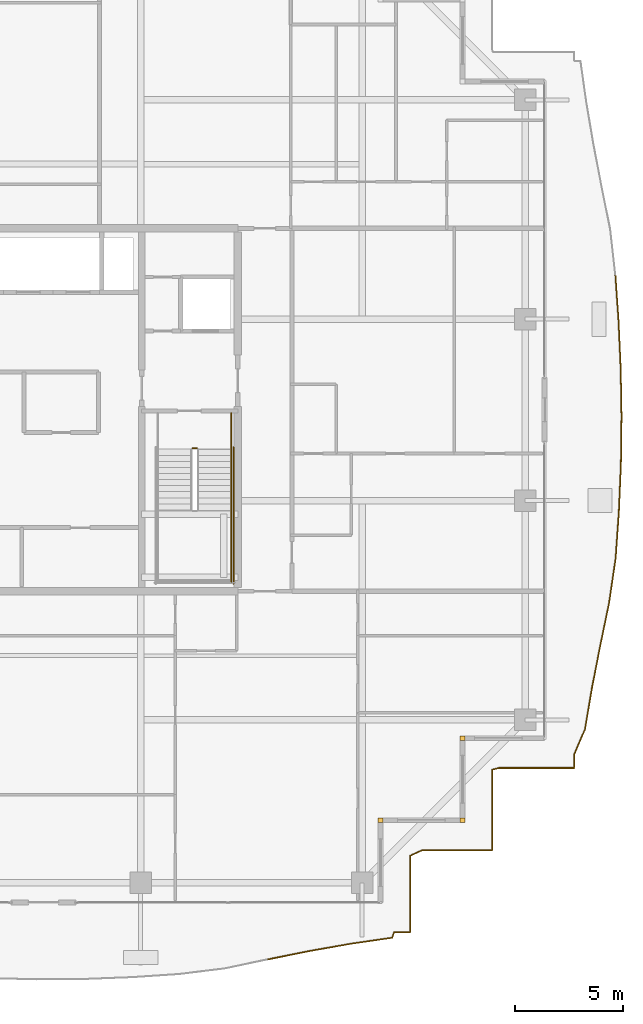
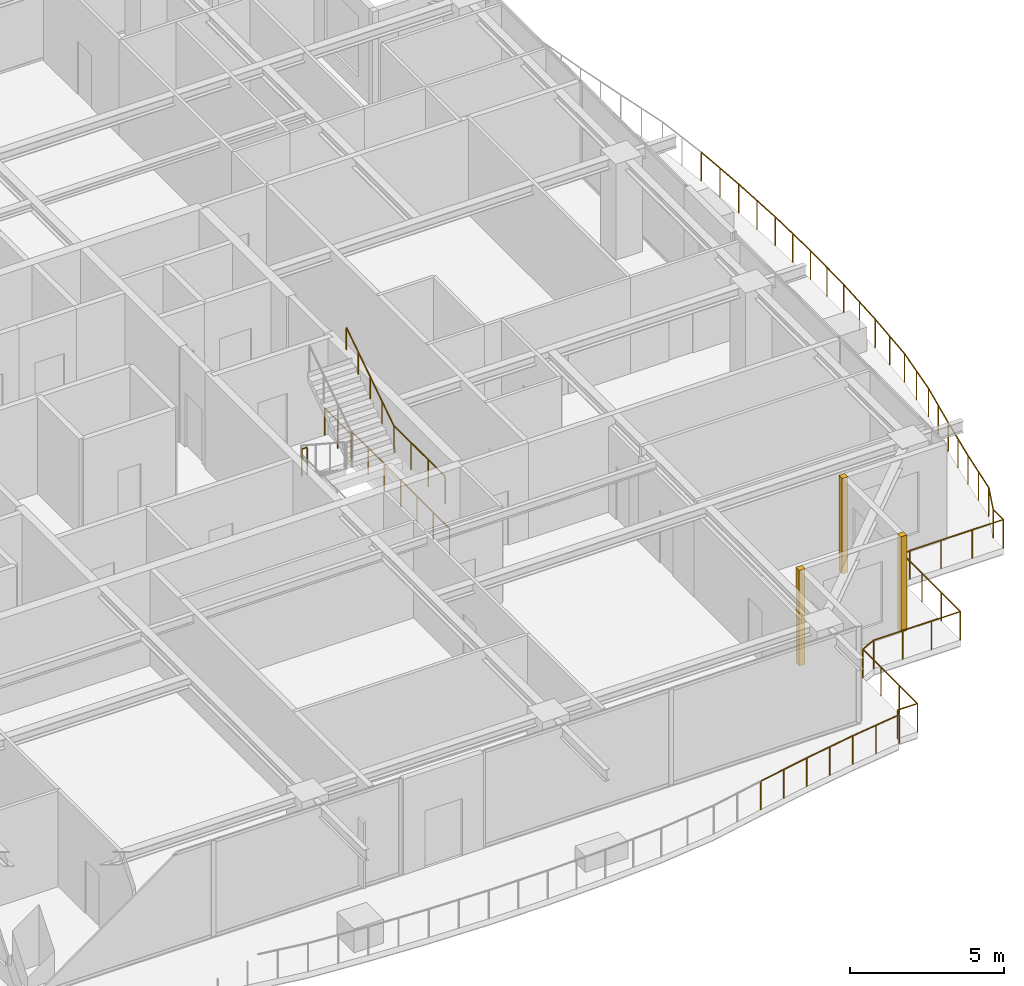
# One storey, part 40 of 41: 8 railings, 3 coverings.
"""IFC4 building model written with IfcOpenShell, lengths in metres."""

from ifc_helpers import new_model, si_unit, direction, frame, origin, origin_2d, place, context, subcontext, project, spatial, rectangle, circle, extrude, source, transform, mapped, material, layer, layer_set, type_object, element, save


model = new_model("IFC4")

# Units and contexts
model_context = context("Model", 3, precision=1e-05, world=origin(), true_north=direction((0.0, 1.0)))
body_context = subcontext(model_context, "Body", "Model", "MODEL_VIEW")
ifc_project = project(units=[si_unit("LENGTHUNIT", "METRE"), si_unit("AREAUNIT", "SQUARE_METRE"), si_unit("VOLUMEUNIT", "CUBIC_METRE"), si_unit("PLANEANGLEUNIT", "RADIAN"), si_unit("MASSUNIT", "GRAM", prefix="KILO")], contexts=[model_context])

# Site, building, storey
site_placement = place(None, origin())
site = spatial("IfcSite", under=ifc_project, at=site_placement, CompositionType="ELEMENT")
building_placement = place(site_placement, origin())
building = spatial("IfcBuilding", under=site, at=building_placement, Name="Serunith Strait Residences", CompositionType="ELEMENT")
storey_placement = place(building_placement, frame((0.0, 0.0, 301.550048828125)))
storey = spatial("IfcBuildingStorey", under=building, at=storey_placement, Name="L75", CompositionType="ELEMENT", Elevation=301.550048828125)

# Railings
ifc_material_1 = material(Name="Stainless Steel & Laminated Glass Balustrade", Category="steel")
railing_type_1 = type_object("IfcRailingType", Name="RLG-BALC-1150", PredefinedType="BALUSTRADE", material=ifc_material_1)
railing_1_placement = place(storey_placement, frame((58.87841796875, 31.458251953125, -0.050048828125)))
element("IfcRailing", 1, at=railing_1_placement, inside=storey, type_object=railing_type_1, Name="L75 Swirling Balcony Perimeter Balustrade 4", PredefinedType="BALUSTRADE", context=body_context, shape_type="SweptSolid", body=[
    extrude(circle(Radius=0.02392578125, at=origin_2d()), frame((0.000244140625, -0.001953125, 1.1259765625), z_axis=(0.06795262557, -0.997688548936, 0.0), x_axis=(0.997688548936, 0.06795262557, 0.0)), (0.0, 0.0, 1.0), 2.166015625),
    extrude(circle(Radius=0.02392578125, at=origin_2d()), frame((0.1474609375, -2.1669921875, 1.1259765625), z_axis=(0.045160425064, -0.998979747546, 0.0), x_axis=(0.998979747546, 0.045160425064, 0.0)), (0.0, 0.0, 1.0), 2.19091796875),
    extrude(circle(Radius=0.02392578125, at=origin_2d()), frame((0.24658203125, -4.359619140625, 1.1259765625), z_axis=(0.017355041926, -0.999849389918, 0.0), x_axis=(0.999849389918, 0.017355041926, 0.0)), (0.0, 0.0, 1.0), 2.20458984375),
    extrude(circle(Radius=0.02392578125, at=origin_2d()), frame((0.284912109375, -6.56787109375, 1.1259765625), z_axis=(-0.012934241333, -0.999916349202, 0.0), x_axis=(0.999916349202, -0.012934241333, 0.0)), (0.0, 0.0, 1.0), 2.204345703125),
    extrude(circle(Radius=0.02392578125, at=origin_2d()), frame((0.25634765625, -8.776123046875, 1.1259765625), z_axis=(-0.042838464692, -0.99908201162, 0.0), x_axis=(0.99908201162, -0.042838464692, 0.0)), (0.0, 0.0, 1.0), 2.190185546875),
    extrude(circle(Radius=0.02392578125, at=origin_2d()), frame((0.162109375, -10.96826171875, 1.1259765625), z_axis=(-0.069053381699, -0.997612966273, 0.0), x_axis=(0.997612966273, -0.069053381699, 0.0)), (0.0, 0.0, 1.0), 2.163330078125),
    extrude(circle(Radius=0.02392578125, at=origin_2d()), frame((0.012451171875, -13.13037109375, 1.1259765625), z_axis=(-0.145704222893, -0.989328196015, 0.0), x_axis=(0.989328196015, -0.145704222893, 0.0)), (0.0, 0.0, 1.0), 2.102294921875),
    extrude(circle(Radius=0.02099609375, at=origin_2d()), origin(), (0.0, 0.0, 1.0), 1.099853515625),
    extrude(circle(Radius=0.02099609375, at=origin_2d()), frame((0.07373046875, -1.08251953125, 0.0)), (0.0, 0.0, 1.0), 1.099853515625),
    extrude(circle(Radius=0.02099609375, at=origin_2d()), frame((0.1474609375, -2.1650390625, 0.0)), (0.0, 0.0, 1.0), 1.099853515625),
    extrude(circle(Radius=0.02099609375, at=origin_2d()), frame((0.197021484375, -3.26123046875, 0.0)), (0.0, 0.0, 1.0), 1.099853515625),
    extrude(circle(Radius=0.02099609375, at=origin_2d()), frame((0.24658203125, -4.357666015625, 0.0)), (0.0, 0.0, 1.0), 1.099853515625),
    extrude(circle(Radius=0.02099609375, at=origin_2d()), frame((0.265625, -5.4619140625, 0.0)), (0.0, 0.0, 1.0), 1.099853515625),
    extrude(circle(Radius=0.02099609375, at=origin_2d()), frame((0.284912109375, -6.56591796875, 0.0)), (0.0, 0.0, 1.0), 1.099853515625),
    extrude(circle(Radius=0.02099609375, at=origin_2d()), frame((0.2705078125, -7.669921875, 0.0)), (0.0, 0.0, 1.0), 1.099853515625),
    extrude(circle(Radius=0.02099609375, at=origin_2d()), frame((0.25634765625, -8.774169921875, 0.0)), (0.0, 0.0, 1.0), 1.099853515625),
    extrude(circle(Radius=0.02099609375, at=origin_2d()), frame((0.20947265625, -9.8701171875, 0.0)), (0.0, 0.0, 1.0), 1.099853515625),
    extrude(circle(Radius=0.02099609375, at=origin_2d()), frame((0.162353515625, -10.96630859375, 0.0)), (0.0, 0.0, 1.0), 1.099853515625),
    extrude(circle(Radius=0.02099609375, at=origin_2d()), frame((0.08740234375, -12.04736328125, 0.0)), (0.0, 0.0, 1.0), 1.099853515625),
    extrude(circle(Radius=0.02099609375, at=origin_2d()), frame((0.0126953125, -13.12841796875, 0.0)), (0.0, 0.0, 1.0), 1.099853515625),
    extrude(circle(Radius=0.02099609375, at=origin_2d()), frame((-0.140625, -14.17041015625, 0.0)), (0.0, 0.0, 1.0), 1.099853515625),
    extrude(circle(Radius=0.02099609375, at=origin_2d()), frame((-0.294189453125, -15.212158203125, 0.0)), (0.0, 0.0, 1.0), 1.099853515625),
])
railing_2_placement = place(storey_placement, frame((58.584228515625, 16.24609375, -0.050048828125)))
element("IfcRailing", 2, at=railing_2_placement, inside=storey, type_object=railing_type_1, Name="L75 Swirling Balcony Perimeter Balustrade 5", PredefinedType="BALUSTRADE", context=body_context, shape_type="SweptSolid", body=[
    extrude(circle(Radius=0.02392578125, at=origin_2d()), frame((-0.00048828125, -0.001953125, 1.1259765625), z_axis=(-0.203349144549, -0.979106289129, 0.0), x_axis=(0.979106289129, -0.203349144549, 0.0)), (0.0, 0.0, 1.0), 2.026123046875),
    extrude(circle(Radius=0.02392578125, at=origin_2d()), frame((-0.413330078125, -1.98974609375, 1.1259765625), z_axis=(-0.1910483824, -0.98158062103, 0.0), x_axis=(0.98158062103, -0.1910483824, 0.0)), (0.0, 0.0, 1.0), 1.970458984375),
    extrude(circle(Radius=0.02392578125, at=origin_2d()), frame((-0.790283203125, -3.927734375, 1.1259765625), z_axis=(-0.166690335324, -0.986009296158, 0.0), x_axis=(0.986009296158, -0.166690335324, 0.0)), (0.0, 0.0, 1.0), 1.9306640625),
    extrude(circle(Radius=0.02392578125, at=origin_2d()), frame((-1.11328125, -5.83544921875, 1.1259765625), z_axis=(-0.397009892886, -0.917814330326, 0.0), x_axis=(0.917814330326, -0.397009892886, 0.0)), (0.0, 0.0, 1.0), 1.234619140625),
    extrude(circle(Radius=0.02392578125, at=origin_2d()), frame((-1.604248046875, -6.97216796875, 1.1259765625), z_axis=(0.0, -1.0, 0.0), x_axis=(1.0, 0.0, 0.0)), (0.0, 0.0, 1.0), 0.65185546875),
    extrude(circle(Radius=0.02392578125, at=origin_2d()), frame((-1.606201171875, -7.6259765625, 1.1259765625), z_axis=(-1.0, 0.0, 0.0), x_axis=(0.0, -1.0, 0.0)), (0.0, 0.0, 1.0), 3.494140625),
    extrude(circle(Radius=0.02392578125, at=origin_2d()), frame((-5.104248046875, -7.62646484375, 1.1259765625), z_axis=(-0.97018861834, -0.242351077661, 0.0), x_axis=(0.242351077661, -0.97018861834, 0.0)), (0.0, 0.0, 1.0), 0.307373046875),
    extrude(circle(Radius=0.02392578125, at=origin_2d()), frame((-5.404296875, -7.703369140625, 1.1259765625), z_axis=(0.0, -1.0, 0.0), x_axis=(1.0, 0.0, 0.0)), (0.0, 0.0, 1.0), 3.720703125),
    extrude(circle(Radius=0.02099609375, at=origin_2d()), origin(), (0.0, 0.0, 1.0), 1.099853515625),
    extrude(circle(Radius=0.02099609375, at=origin_2d()), frame((-0.20654296875, -0.993896484375, 0.0)), (0.0, 0.0, 1.0), 1.099853515625),
    extrude(circle(Radius=0.02099609375, at=origin_2d()), frame((-0.412841796875, -1.98779296875, 0.0)), (0.0, 0.0, 1.0), 1.099853515625),
    extrude(circle(Radius=0.02099609375, at=origin_2d()), frame((-0.6015625, -2.956787109375, 0.0)), (0.0, 0.0, 1.0), 1.099853515625),
    extrude(circle(Radius=0.02099609375, at=origin_2d()), frame((-0.7900390625, -3.92578125, 0.0)), (0.0, 0.0, 1.0), 1.099853515625),
    extrude(circle(Radius=0.02099609375, at=origin_2d()), frame((-0.951171875, -4.879638671875, 0.0)), (0.0, 0.0, 1.0), 1.099853515625),
    extrude(circle(Radius=0.02099609375, at=origin_2d()), frame((-1.112548828125, -5.83349609375, 0.0)), (0.0, 0.0, 1.0), 1.099853515625),
    extrude(circle(Radius=0.02099609375, at=origin_2d()), frame((-1.604248046875, -6.97021484375, 0.0)), (0.0, 0.0, 1.0), 1.099853515625),
    extrude(circle(Radius=0.02099609375, at=origin_2d()), frame((-1.604248046875, -7.6259765625, 0.0)), (0.0, 0.0, 1.0), 1.099853515625),
    extrude(circle(Radius=0.02099609375, at=origin_2d()), frame((-2.770263671875, -7.6259765625, 0.0)), (0.0, 0.0, 1.0), 1.099853515625),
    extrude(circle(Radius=0.02099609375, at=origin_2d()), frame((-3.936279296875, -7.6259765625, 0.0)), (0.0, 0.0, 1.0), 1.099853515625),
    extrude(circle(Radius=0.02099609375, at=origin_2d()), frame((-5.102294921875, -7.6259765625, 0.0)), (0.0, 0.0, 1.0), 1.099853515625),
    extrude(circle(Radius=0.02099609375, at=origin_2d()), frame((-5.404296875, -7.701416015625, 0.0)), (0.0, 0.0, 1.0), 1.099853515625),
    extrude(circle(Radius=0.02099609375, at=origin_2d()), frame((-5.404296875, -8.94287109375, 0.0)), (0.0, 0.0, 1.0), 1.099853515625),
    extrude(circle(Radius=0.02099609375, at=origin_2d()), frame((-5.404296875, -10.1845703125, 0.0)), (0.0, 0.0, 1.0), 1.099853515625),
    extrude(circle(Radius=0.02099609375, at=origin_2d()), frame((-5.404296875, -11.426025390625, 0.0)), (0.0, 0.0, 1.0), 1.099853515625),
])
railing_3_placement = place(storey_placement, frame((53.179931640625, 4.820068359375, -0.050048828125)))
element("IfcRailing", 3, at=railing_3_placement, inside=storey, type_object=railing_type_1, Name="L75 Swirling Balcony Perimeter Balustrade 6", PredefinedType="BALUSTRADE", context=body_context, shape_type="SweptSolid", body=[
    extrude(circle(Radius=0.02392578125, at=origin_2d()), frame((-0.001953125, 0.0, 1.1259765625), z_axis=(-1.0, 0.0, 0.0), x_axis=(0.0, -1.0, 0.0)), (0.0, 0.0, 1.0), 3.233642578125),
    extrude(circle(Radius=0.02392578125, at=origin_2d()), frame((-3.2392578125, -0.000732421875, 1.1259765625), z_axis=(-0.904551600547, -0.426364165883, 0.0), x_axis=(0.426364165883, -0.904551600547, 0.0)), (0.0, 0.0, 1.0), 0.617919921875),
    extrude(circle(Radius=0.02392578125, at=origin_2d()), frame((-3.800048828125, -0.26708984375, 1.1259765625), z_axis=(0.0, -1.0, 0.0), x_axis=(1.0, 0.0, 0.0)), (0.0, 0.0, 1.0), 3.531005859375),
    extrude(circle(Radius=0.02392578125, at=origin_2d()), frame((-3.802001953125, -3.800048828125, 1.1259765625), z_axis=(-1.0, 0.0, 0.0), x_axis=(0.0, -1.0, 0.0)), (0.0, 0.0, 1.0), 0.74267578125),
    extrude(circle(Radius=0.02392578125, at=origin_2d()), frame((-4.54736328125, -3.802001953125, 1.1259765625), z_axis=(-0.31271097684, -0.949848327347, 0.0), x_axis=(0.949848327347, -0.31271097684, 0.0)), (0.0, 0.0, 1.0), 0.266845703125),
    extrude(circle(Radius=0.02392578125, at=origin_2d()), frame((-4.63330078125, -4.0576171875, 1.1259765625), z_axis=(-0.989610193278, -0.1437764423, 0.0), x_axis=(0.1437764423, -0.989610193278, 0.0)), (0.0, 0.0, 1.0), 1.911376953125),
    extrude(circle(Radius=0.02392578125, at=origin_2d()), frame((-6.52880859375, -4.3330078125, 1.1259765625), z_axis=(-0.984864491791, -0.173326088083, 0.0), x_axis=(0.173326088083, -0.984864491791, 0.0)), (0.0, 0.0, 1.0), 1.93701171875),
    extrude(circle(Radius=0.02392578125, at=origin_2d()), frame((-8.4404296875, -4.669677734375, 1.1259765625), z_axis=(-0.980367200869, -0.197180504767, 0.0), x_axis=(0.197180504767, -0.980367200869, 0.0)), (0.0, 0.0, 1.0), 1.980712890625),
    extrude(circle(Radius=0.02099609375, at=origin_2d()), origin(), (0.0, 0.0, 1.0), 1.099853515625),
    extrude(circle(Radius=0.02099609375, at=origin_2d()), frame((-1.0791015625, 0.0, 0.0)), (0.0, 0.0, 1.0), 1.099853515625),
    extrude(circle(Radius=0.02099609375, at=origin_2d()), frame((-2.158447265625, 0.0, 0.0)), (0.0, 0.0, 1.0), 1.099853515625),
    extrude(circle(Radius=0.02099609375, at=origin_2d()), frame((-3.237548828125, 0.0, 0.0)), (0.0, 0.0, 1.0), 1.099853515625),
    extrude(circle(Radius=0.02099609375, at=origin_2d()), frame((-3.800048828125, -0.26513671875, 0.0)), (0.0, 0.0, 1.0), 1.099853515625),
    extrude(circle(Radius=0.02099609375, at=origin_2d()), frame((-3.800048828125, -1.443359375, 0.0)), (0.0, 0.0, 1.0), 1.099853515625),
    extrude(circle(Radius=0.02099609375, at=origin_2d()), frame((-3.800048828125, -2.621826171875, 0.0)), (0.0, 0.0, 1.0), 1.099853515625),
    extrude(circle(Radius=0.02099609375, at=origin_2d()), frame((-3.800048828125, -3.800048828125, 0.0)), (0.0, 0.0, 1.0), 1.099853515625),
    extrude(circle(Radius=0.02099609375, at=origin_2d()), frame((-4.546630859375, -3.800048828125, 0.0)), (0.0, 0.0, 1.0), 1.099853515625),
    extrude(circle(Radius=0.02099609375, at=origin_2d()), frame((-4.63134765625, -4.057373046875, 0.0)), (0.0, 0.0, 1.0), 1.099853515625),
    extrude(circle(Radius=0.02099609375, at=origin_2d()), frame((-5.5791015625, -4.195068359375, 0.0)), (0.0, 0.0, 1.0), 1.099853515625),
    extrude(circle(Radius=0.02099609375, at=origin_2d()), frame((-6.52685546875, -4.332763671875, 0.0)), (0.0, 0.0, 1.0), 1.099853515625),
    extrude(circle(Radius=0.02099609375, at=origin_2d()), frame((-7.482666015625, -4.5009765625, 0.0)), (0.0, 0.0, 1.0), 1.099853515625),
    extrude(circle(Radius=0.02099609375, at=origin_2d()), frame((-8.4384765625, -4.669189453125, 0.0)), (0.0, 0.0, 1.0), 1.099853515625),
    extrude(circle(Radius=0.02099609375, at=origin_2d()), frame((-9.411376953125, -4.86474609375, 0.0)), (0.0, 0.0, 1.0), 1.099853515625),
    extrude(circle(Radius=0.02099609375, at=origin_2d()), frame((-10.38427734375, -5.060546875, 0.0)), (0.0, 0.0, 1.0), 1.099853515625),
])
ifc_material_2 = material(Name="Brushed stainless steel 316L", Category="steel")
railing_type_2 = type_object("IfcRailingType", Name="RLG-STAIR-GUARD", PredefinedType="BALUSTRADE", material=ifc_material_2)
railing_4_placement = place(storey_placement, frame((41.10009765625, 20.570068359375, 2.02490234375)))
element("IfcRailing", 4, at=railing_4_placement, inside=storey, type_object=railing_type_2, Name="L75 ST-2 stair guard 4", PredefinedType="BALUSTRADE", context=body_context, shape_type="SweptSolid", body=[
    extrude(circle(Radius=0.02392578125, at=origin_2d()), frame((0.0, -0.001953125, 1.076171875), z_axis=(0.0, -1.0, 0.0), x_axis=(1.0, 0.0, 0.0)), (0.0, 0.0, 1.0), 3.316162109375),
    extrude(circle(Radius=0.02099609375, at=origin_2d()), origin(), (0.0, 0.0, 1.0), 1.050048828125),
    extrude(circle(Radius=0.02099609375, at=origin_2d()), frame((0.0, -1.106689453125, 0.0)), (0.0, 0.0, 1.0), 1.050048828125),
    extrude(circle(Radius=0.02099609375, at=origin_2d()), frame((0.0, -2.21337890625, 0.0)), (0.0, 0.0, 1.0), 1.050048828125),
    extrude(circle(Radius=0.02099609375, at=origin_2d()), frame((0.0, -3.320068359375, 0.0)), (0.0, 0.0, 1.0), 1.050048828125),
])
railing_5_placement = place(storey_placement, frame((39.300048828125, 23.419921875, 0.0)))
element("IfcRailing", 5, at=railing_5_placement, inside=storey, type_object=railing_type_2, Name="L75 ST-2 stair guard 7", PredefinedType="BALUSTRADE", context=body_context, shape_type="SweptSolid", body=[
    extrude(circle(Radius=0.02392578125, at=origin_2d()), frame((0.001953125, 0.0, 1.076171875), z_axis=(1.0, 0.0, 0.0), x_axis=(0.0, 1.0, 0.0)), (0.0, 0.0, 1.0), 0.196044921875),
    extrude(circle(Radius=0.02099609375, at=origin_2d()), origin(), (0.0, 0.0, 1.0), 1.050048828125),
    extrude(circle(Radius=0.02099609375, at=origin_2d()), frame((0.199951171875, 0.0, 0.0)), (0.0, 0.0, 1.0), 1.050048828125),
])
railing_6_placement = place(storey_placement, frame((41.10009765625, 25.050048828125, 0.0)))
element("IfcRailing", 6, at=railing_6_placement, inside=storey, type_object=railing_type_2, Name="L75 ST-2 stair guard 9", PredefinedType="BALUSTRADE", context=body_context, shape_type="SweptSolid", body=[
    extrude(circle(Radius=0.02392578125, at=origin_2d()), frame((0.0, -0.001953125, 1.076171875), z_axis=(0.0, -1.0, 0.0), x_axis=(1.0, 0.0, 0.0)), (0.0, 0.0, 1.0), 1.676025390625),
    extrude(circle(Radius=0.02099609375, at=origin_2d()), origin(), (0.0, 0.0, 1.0), 1.050048828125),
    extrude(circle(Radius=0.02099609375, at=origin_2d()), frame((0.0, -0.83984375, 0.0)), (0.0, 0.0, 1.0), 1.050048828125),
    extrude(circle(Radius=0.02099609375, at=origin_2d()), frame((0.0, -1.679931640625, 0.0)), (0.0, 0.0, 1.0), 1.050048828125),
])
railing_7_placement = place(storey_placement, frame((41.199951171875, 23.469970703125, 0.0)))
element("IfcRailing", 7, at=railing_7_placement, inside=storey, type_object=railing_type_2, Name="L75 ST-2 stair guard 11", PredefinedType="BALUSTRADE", context=body_context, shape_type="SweptSolid", body=[
    extrude(circle(Radius=0.02392578125, at=origin_2d()), frame((0.0, -0.001953125, 1.076171875), z_axis=(0.0, -1.0, 0.0), x_axis=(1.0, 0.0, 0.0)), (0.0, 0.0, 1.0), 6.316162109375),
    extrude(circle(Radius=0.02099609375, at=origin_2d()), origin(), (0.0, 0.0, 1.0), 1.050048828125),
    extrude(circle(Radius=0.02099609375, at=origin_2d()), frame((0.0, -1.05322265625, 0.0)), (0.0, 0.0, 1.0), 1.050048828125),
    extrude(circle(Radius=0.02099609375, at=origin_2d()), frame((0.0, -2.106689453125, 0.0)), (0.0, 0.0, 1.0), 1.050048828125),
    extrude(circle(Radius=0.02099609375, at=origin_2d()), frame((0.0, -3.16015625, 0.0)), (0.0, 0.0, 1.0), 1.050048828125),
    extrude(circle(Radius=0.02099609375, at=origin_2d()), frame((0.0, -4.21337890625, 0.0)), (0.0, 0.0, 1.0), 1.050048828125),
    extrude(circle(Radius=0.02099609375, at=origin_2d()), frame((0.0, -5.2666015625, 0.0)), (0.0, 0.0, 1.0), 1.050048828125),
    extrude(circle(Radius=0.02099609375, at=origin_2d()), frame((0.0, -6.320068359375, 0.0)), (0.0, 0.0, 1.0), 1.050048828125),
])
railing_type_3 = type_object("IfcRailingType", Name="RLG-STAIR-HR", PredefinedType="HANDRAIL", material=ifc_material_2)
railing_8_placement = place(storey_placement, frame((41.10009765625, 20.570068359375, 2.208984375)))
element("IfcRailing", 8, at=railing_8_placement, inside=storey, type_object=railing_type_3, Name="L75 ST-2 stair handrail 2", PredefinedType="HANDRAIL", context=body_context, shape_type="SweptSolid", body=[
    extrude(circle(Radius=0.02392578125, at=origin_2d()), frame((0.0, 0.001708984375, 0.876953125), z_axis=(0.0, 0.834940924727, 0.550339579002), x_axis=(-1.0, 0.0, 0.0)), (0.0, 0.0, 1.0), 3.6845703125),
    extrude(circle(Radius=0.02099609375, at=origin_2d()), origin(), (0.0, 0.0, 1.0), 0.849853515625),
    extrude(circle(Radius=0.02099609375, at=origin_2d()), frame((0.0, 0.77001953125, 0.507568359375)), (0.0, 0.0, 1.0), 0.849853515625),
    extrude(circle(Radius=0.02099609375, at=origin_2d()), frame((0.0, 1.5400390625, 1.01513671875)), (0.0, 0.0, 1.0), 0.849853515625),
    extrude(circle(Radius=0.02099609375, at=origin_2d()), frame((0.0, 2.309814453125, 1.5224609375)), (0.0, 0.0, 1.0), 0.849853515625),
    extrude(circle(Radius=0.02099609375, at=origin_2d()), frame((0.0, 3.079833984375, 2.030029296875)), (0.0, 0.0, 1.0), 0.849853515625),
])

# Coverings
ifc_material_3 = material(Name="Pale-Champagne Anodised Aluminium", Category="aluminium")
ifc_layer = layer(ifc_material_3, 0.219970703125, Name="Pale-Champagne Anodised Aluminium")
ifc_layer_set = layer_set([ifc_layer], Name="Pale-Champagne Anodised Aluminium")
covering_type = type_object("IfcCoveringType", Name="COV-CORN-TRIM", PredefinedType="CLADDING", material=ifc_layer_set)
shared_shape = source(origin(), body_context, "Body", "SweptSolid", [
    extrude(rectangle(XDim=0.221923828125, YDim=0.221923828125, at=origin_2d()), origin(), (0.0, 0.0, 1.0), 3.77490234375),
])
for number, where, z_axis, x_axis, name in (
    (9, (48.0, 6.199951171875, 0.0), (0.0, 0.0, 1.0), (1.0, 0.0, 0.0), "L75 Girih Serrated Corner Trim Post 02"),
    (10, (51.800048828125, 6.199951171875, 0.0), (0.0, 0.0, 1.0), (1.0, 0.0, 0.0), "L75 Girih Serrated Corner Trim Post 03"),
    (11, (51.800048828125, 10.0, 0.0), (0.0, 0.0, 1.0), (1.0, 0.0, 0.0), "L75 Girih Serrated Corner Trim Post 04"),
):
    element("IfcCovering", number, at=place(storey_placement, frame(where, z_axis=z_axis, x_axis=x_axis)), inside=storey, type_object=covering_type, Name=name, PredefinedType="CLADDING", context=body_context, shape_type="MappedRepresentation", body=[
        mapped(shared_shape, transform((0.0, 0.0, 0.0), scale=1.0)),
    ])

save(model, "model.ifc")
